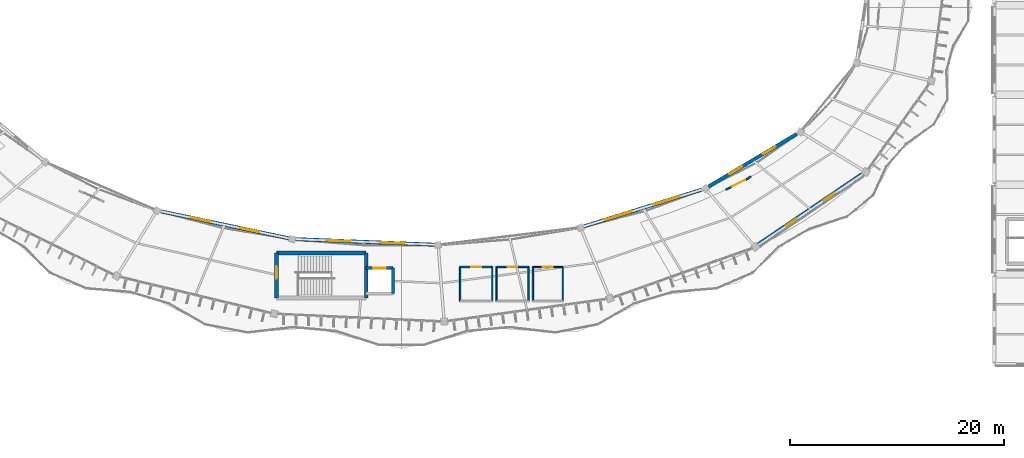
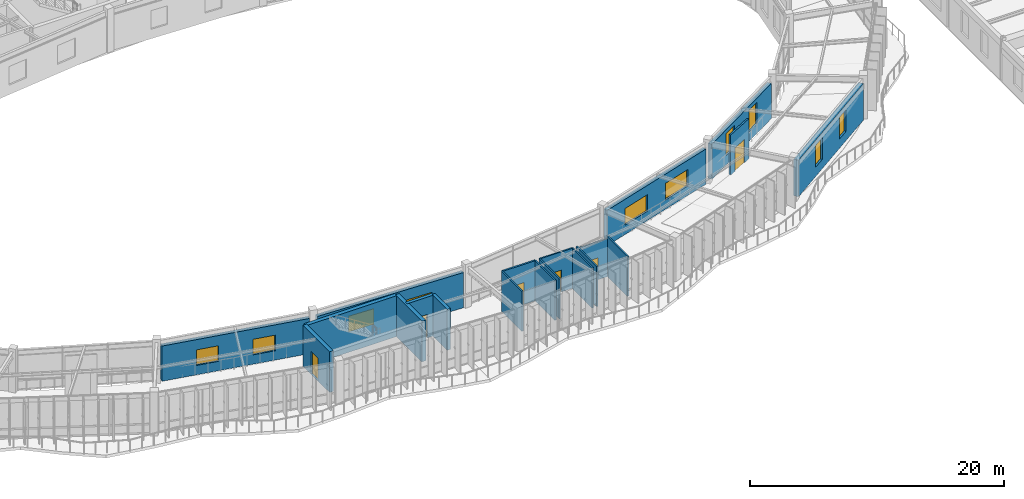
# One storey, part 93 of 114: 20 walls, 10 windows, 6 doors, 16 openings.
"""IFC4 building model written with IfcOpenShell, lengths in metres."""

from ifc_helpers import new_model, si_unit, direction, frame, frame_2d, origin, place, context, subcontext, project, spatial, rectangle, extrude, material, layer, layer_set, type_object, element, fill, save


model = new_model("IFC4")

# Units and contexts
model_context = context("Model", 3, precision=1e-05, world=origin(), true_north=direction((0.0, 1.0)))
body_context = subcontext(model_context, "Body", "Model", "MODEL_VIEW")
ifc_project = project(units=[si_unit("LENGTHUNIT", "METRE"), si_unit("AREAUNIT", "SQUARE_METRE"), si_unit("VOLUMEUNIT", "CUBIC_METRE"), si_unit("PLANEANGLEUNIT", "RADIAN"), si_unit("MASSUNIT", "GRAM", prefix="KILO"), si_unit("THERMODYNAMICTEMPERATUREUNIT", "KELVIN"), si_unit("POWERUNIT", "WATT")], contexts=[model_context])

# Site, building, storey
site_placement = place(None, origin())
site = spatial("IfcSite", under=ifc_project, at=site_placement, CompositionType="ELEMENT")
building_placement = place(site_placement, origin())
building = spatial("IfcBuilding", under=site, at=building_placement, Name="Darbajah Civic Hall", CompositionType="ELEMENT")
storey_placement = place(building_placement, frame((0.0, 0.0, 13.800048828125)))
storey = spatial("IfcBuildingStorey", under=building, at=storey_placement, Name="L03", CompositionType="ELEMENT", Elevation=13.800048828125)

# Wall, opening, door
ifc_material_1 = material(Name="Concrete C45/55", Category="concrete")
ifc_layer_1 = layer(ifc_material_1, 0.300048828125, Name="Concrete C45/55")
ifc_layer_set_1 = layer_set([ifc_layer_1], Name="Concrete C45/55")
wall_type_1 = type_object("IfcWallType", Name="Core Shear Wall 300mm", PredefinedType="SHEAR", material=ifc_layer_set_1)
wall_1_placement = place(storey_placement, frame((88.300048828125, 65.39990234375, 0.0), z_axis=(0.0, 0.0, 1.0), x_axis=(-1.0, 0.0, 0.0)))
wall_1 = element("IfcWall", 1, at=wall_1_placement, inside=storey, type_object=wall_type_1, Name="L03 lift PL1 shaft wall N", PredefinedType="SHEAR", context=body_context, shape_type="SweptSolid", body=[
    extrude(rectangle(XDim=2.5, YDim=0.300048828125, at=frame_2d((1.25, 0.0))), origin(), (0.0, 0.0, 1.0), 3.919921875),
])
opening_1_placement = place(wall_1_placement, frame((0.64990234375, 0.0, 0.0)))
opening_1 = element("IfcOpeningElement", 2, at=opening_1_placement, cuts=wall_1, Name="Opening LD-0053", PredefinedType="OPENING", context=body_context, shape_type="SweptSolid", body=[
    extrude(rectangle(XDim=1.199951171875, YDim=2.25, at=frame_2d((0.60009765625, 1.125))), frame((0.0, 0.159912109375, 0.0), z_axis=(0.0, -1.0, 0.0), x_axis=(1.0, 0.0, 0.0)), (0.0, 0.0, 1.0), 0.320068359375),
])
ifc_material_2 = material(Name="Stainless Lift Landing Door")
door_type_1 = type_object("IfcDoorType", Name="Lift Landing Door 1200x2250", OperationType="SLIDING_TO_LEFT", PredefinedType="DOOR", material=ifc_material_2)
door_1_placement = place(opening_1_placement, origin())
door_1 = element("IfcDoor", 3, at=door_1_placement, inside=storey, type_object=door_type_1, Name="L03 lift PL1 landing door LD-0053", OperationType="SLIDING_TO_LEFT", OverallHeight=2.25, OverallWidth=1.199951171875, PredefinedType="DOOR", context=body_context, shape_type="SweptSolid", body=[
    extrude(rectangle(XDim=1.199951171875, YDim=2.25, at=frame_2d((0.60009765625, 1.125))), frame((0.0, 0.02490234375, 0.0), z_axis=(0.0, -1.0, 0.0), x_axis=(1.0, 0.0, 0.0)), (0.0, 0.0, 1.0), 0.050048828125),
])
fill(opening_1, door_1)

# Walls
wall_2_placement = place(storey_placement, frame((88.300048828125, 63.0, 0.0), z_axis=(0.0, 0.0, 1.0), x_axis=(0.0, 1.0, 0.0)))
element("IfcWall", 4, at=wall_2_placement, inside=storey, type_object=wall_type_1, Name="L03 lift PL1 shaft wall E", PredefinedType="SHEAR", context=body_context, shape_type="SweptSolid", body=[
    extrude(rectangle(XDim=2.39990234375, YDim=0.300048828125, at=frame_2d((1.199951171875, 0.0))), origin(), (0.0, 0.0, 1.0), 3.919921875),
])
ifc_material_3 = material(Name="Concrete C50/60", Category="concrete")
ifc_layer_2 = layer(ifc_material_3, 0.35009765625, Name="Concrete C50/60")
ifc_layer_set_2 = layer_set([ifc_layer_2], Name="Concrete C50/60")
wall_type_2 = type_object("IfcWallType", Name="Core Shear Wall 350mm", PredefinedType="SHEAR", material=ifc_layer_set_2)
wall_3_placement = place(storey_placement, frame((85.800048828125, 62.60009765625, 0.0), z_axis=(0.0, 0.0, 1.0), x_axis=(0.0, 1.0, 0.0)))
element("IfcWall", 5, at=wall_3_placement, inside=storey, type_object=wall_type_2, Name="L03 core C03 shear wall E", PredefinedType="SHEAR", context=body_context, shape_type="SweptSolid", body=[
    extrude(rectangle(XDim=4.199951171875, YDim=0.35009765625, at=frame_2d((2.10009765625, 0.0))), origin(), (0.0, 0.0, 1.0), 3.919921875),
])
wall_4_placement = place(storey_placement, frame((85.800048828125, 66.800048828125, 0.0), z_axis=(0.0, 0.0, 1.0), x_axis=(-1.0, 0.0, 0.0)))
element("IfcWall", 6, at=wall_4_placement, inside=storey, type_object=wall_type_2, Name="L03 core C03 shear wall N", PredefinedType="SHEAR", context=body_context, shape_type="SweptSolid", body=[
    extrude(rectangle(XDim=8.400146484375, YDim=0.35009765625, at=frame_2d((4.2001953125, 0.0))), origin(), (0.0, 0.0, 1.0), 3.919921875),
])

# Wall, opening, door
wall_5_placement = place(storey_placement, frame((77.39990234375, 66.800048828125, 0.0), z_axis=(0.0, 0.0, 1.0), x_axis=(0.0, -1.0, 0.0)))
wall_5 = element("IfcWall", 7, at=wall_5_placement, inside=storey, type_object=wall_type_2, Name="L03 core C03 shear wall W", PredefinedType="SHEAR", context=body_context, shape_type="SweptSolid", body=[
    extrude(rectangle(XDim=4.199951171875, YDim=0.35009765625, at=frame_2d((2.10009765625, 0.0))), origin(), (0.0, 0.0, 1.0), 3.919921875),
])
opening_2_placement = place(wall_5_placement, frame((1.25, 0.0, 0.0)))
opening_2 = element("IfcOpeningElement", 8, at=opening_2_placement, cuts=wall_5, Name="Opening SD-0046", PredefinedType="OPENING", context=body_context, shape_type="SweptSolid", body=[
    extrude(rectangle(XDim=1.14990234375, YDim=2.199951171875, at=frame_2d((0.574951171875, 1.10009765625))), frame((0.0, 0.18505859375, 0.0), z_axis=(0.0, -1.0, 0.0), x_axis=(1.0, 0.0, 0.0)), (0.0, 0.0, 1.0), 0.3701171875),
])
ifc_material_4 = material(Name="Steel Rated Core Door", Category="steel")
door_type_2 = type_object("IfcDoorType", Name="Interior Door 1150x2200", OperationType="NOTDEFINED", PredefinedType="DOOR", material=ifc_material_4)
door_2_placement = place(opening_2_placement, origin())
door_2 = element("IfcDoor", 9, at=door_2_placement, inside=storey, type_object=door_type_2, Name="L03 stair ST03 fire door SD-0046", OperationType="SINGLE_SWING_LEFT", OverallHeight=2.199951171875, OverallWidth=1.14990234375, PredefinedType="DOOR", context=body_context, shape_type="SweptSolid", body=[
    extrude(rectangle(XDim=1.14990234375, YDim=2.199951171875, at=frame_2d((0.574951171875, 1.10009765625))), frame((0.0, 0.02490234375, 0.0), z_axis=(0.0, -1.0, 0.0), x_axis=(1.0, 0.0, 0.0)), (0.0, 0.0, 1.0), 0.050048828125),
])
fill(opening_2, door_2)

# Wall, openings, windows
ifc_material_5 = material(Name="Qatari Desert Limestone Ashlar", Category="masonry")
ifc_layer_3 = layer(ifc_material_5, 0.340087890625, Name="Qatari Desert Limestone Ashlar")
ifc_layer_set_3 = layer_set([ifc_layer_3], Name="Qatari Desert Limestone Ashlar")
wall_type_3 = type_object("IfcWallType", Name="Exterior Wall 340mm", PredefinedType="SOLIDWALL", material=ifc_layer_set_3)
wall_6_placement = place(storey_placement, frame((66.591552734375, 70.70654296875, 0.0), z_axis=(0.0, 0.0, 1.0), x_axis=(0.978479486831, -0.206344115136, 0.0)))
wall_6 = element("IfcWall", 10, at=wall_6_placement, inside=storey, type_object=wall_type_3, Name="L03 exterior wall EW-340", PredefinedType="SOLIDWALL", context=body_context, shape_type="SweptSolid", body=[
    extrude(rectangle(XDim=12.243408203125, YDim=0.340087890625, at=frame_2d((6.12158203125, 0.0))), origin(), (0.0, 0.0, 1.0), 3.386962890625),
])
opening_3_placement = place(wall_6_placement, frame((2.847900390625, 0.0, 0.89990234375)))
opening_3 = element("IfcOpeningElement", 11, at=opening_3_placement, cuts=wall_6, Name="Opening WN-26", PredefinedType="OPENING", context=body_context, shape_type="SweptSolid", body=[
    extrude(rectangle(XDim=1.85009765625, YDim=1.5, at=frame_2d((0.925048828125, 0.75))), frame((0.0, 0.179931640625, 0.0), z_axis=(0.0, -1.0, 0.0), x_axis=(1.0, 0.0, 0.0)), (0.0, 0.0, 1.0), 0.360107421875),
])
opening_4_placement = place(wall_6_placement, frame((7.545654296875, 0.0, 0.89990234375)))
opening_4 = element("IfcOpeningElement", 12, at=opening_4_placement, cuts=wall_6, Name="Opening WN-26", PredefinedType="OPENING", context=body_context, shape_type="SweptSolid", body=[
    extrude(rectangle(XDim=1.85009765625, YDim=1.5, at=frame_2d((0.925048828125, 0.75))), frame((0.0, 0.179931640625, 0.0), z_axis=(0.0, -1.0, 0.0), x_axis=(1.0, 0.0, 0.0)), (0.0, 0.0, 1.0), 0.360107421875),
])
ifc_material_6 = material(Name="Low-E Solar Control Double Glazing", Category="glass")
window_type_1 = type_object("IfcWindowType", Name="Facade Window 1850x1500", PartitioningType="DOUBLE_PANEL_VERTICAL", PredefinedType="WINDOW", material=ifc_material_6)
window_1_placement = place(opening_3_placement, origin())
window_1 = element("IfcWindow", 13, at=window_1_placement, inside=storey, type_object=window_type_1, Name="L03 facade window WN-26", OverallHeight=1.5, OverallWidth=1.85009765625, PartitioningType="SINGLE_PANEL", PredefinedType="WINDOW", context=body_context, shape_type="SweptSolid", body=[
    extrude(rectangle(XDim=1.85009765625, YDim=1.5, at=frame_2d((0.925048828125, 0.75))), frame((0.0, 0.030029296875, 0.0), z_axis=(0.0, -1.0, 0.0), x_axis=(1.0, 0.0, 0.0)), (0.0, 0.0, 1.0), 0.06005859375),
])
fill(opening_3, window_1)
window_2_placement = place(opening_4_placement, origin())
window_2 = element("IfcWindow", 14, at=window_2_placement, inside=storey, type_object=window_type_1, Name="L03 facade window WN-26", OverallHeight=1.5, OverallWidth=1.85009765625, PartitioningType="SINGLE_PANEL", PredefinedType="WINDOW", context=body_context, shape_type="SweptSolid", body=[
    extrude(rectangle(XDim=1.85009765625, YDim=1.5, at=frame_2d((0.925048828125, 0.75))), frame((0.0, 0.030029296875, 0.0), z_axis=(0.0, -1.0, 0.0), x_axis=(1.0, 0.0, 0.0)), (0.0, 0.0, 1.0), 0.06005859375),
])
fill(opening_4, window_2)

wall_7_placement = place(storey_placement, frame((79.2294921875, 68.10205078125, 0.0), z_axis=(0.0, 0.0, 1.0), x_axis=(0.999197440075, -0.040055907767, 0.0)))
wall_7 = element("IfcWall", 15, at=wall_7_placement, inside=storey, type_object=wall_type_3, Name="L03 exterior wall EW-340", PredefinedType="SOLIDWALL", context=body_context, shape_type="SweptSolid", body=[
    extrude(rectangle(XDim=12.982421875, YDim=0.340087890625, at=frame_2d((6.4912109375, 0.0))), origin(), (0.0, 0.0, 1.0), 3.386962890625),
])
opening_5_placement = place(wall_7_placement, frame((2.827392578125, 0.0, 0.89990234375)))
opening_5 = element("IfcOpeningElement", 16, at=opening_5_placement, cuts=wall_7, Name="Opening WN-27", PredefinedType="OPENING", context=body_context, shape_type="SweptSolid", body=[
    extrude(rectangle(XDim=2.25, YDim=1.5, at=frame_2d((1.125, 0.75))), frame((0.0, 0.179931640625, 0.0), z_axis=(0.0, -1.0, 0.0), x_axis=(1.0, 0.0, 0.0)), (0.0, 0.0, 1.0), 0.360107421875),
])
opening_6_placement = place(wall_7_placement, frame((7.90478515625, 0.0, 0.89990234375)))
opening_6 = element("IfcOpeningElement", 17, at=opening_6_placement, cuts=wall_7, Name="Opening WN-27", PredefinedType="OPENING", context=body_context, shape_type="SweptSolid", body=[
    extrude(rectangle(XDim=2.25, YDim=1.5, at=frame_2d((1.125, 0.75))), frame((0.0, 0.179931640625, 0.0), z_axis=(0.0, -1.0, 0.0), x_axis=(1.0, 0.0, 0.0)), (0.0, 0.0, 1.0), 0.360107421875),
])
window_type_2 = type_object("IfcWindowType", Name="Facade Window 2250x1500", PartitioningType="DOUBLE_PANEL_VERTICAL", PredefinedType="WINDOW", material=ifc_material_6)
window_3_placement = place(opening_5_placement, origin())
window_3 = element("IfcWindow", 18, at=window_3_placement, inside=storey, type_object=window_type_2, Name="L03 facade window WN-27", OverallHeight=1.5, OverallWidth=2.25, PartitioningType="SINGLE_PANEL", PredefinedType="WINDOW", context=body_context, shape_type="SweptSolid", body=[
    extrude(rectangle(XDim=2.25, YDim=1.5, at=frame_2d((1.125, 0.75))), frame((0.0, 0.030029296875, 0.0), z_axis=(0.0, -1.0, 0.0), x_axis=(1.0, 0.0, 0.0)), (0.0, 0.0, 1.0), 0.06005859375),
])
fill(opening_5, window_3)
window_4_placement = place(opening_6_placement, origin())
window_4 = element("IfcWindow", 19, at=window_4_placement, inside=storey, type_object=window_type_2, Name="L03 facade window WN-27", OverallHeight=1.5, OverallWidth=2.25, PartitioningType="SINGLE_PANEL", PredefinedType="WINDOW", context=body_context, shape_type="SweptSolid", body=[
    extrude(rectangle(XDim=2.25, YDim=1.5, at=frame_2d((1.125, 0.75))), frame((0.0, 0.030029296875, 0.0), z_axis=(0.0, -1.0, 0.0), x_axis=(1.0, 0.0, 0.0)), (0.0, 0.0, 1.0), 0.06005859375),
])
fill(opening_6, window_4)

wall_8_placement = place(storey_placement, frame((106.17431640625, 69.295166015625, 0.0), z_axis=(0.0, 0.0, 1.0), x_axis=(0.954617937233, 0.297833164561, 0.0)))
wall_8 = element("IfcWall", 20, at=wall_8_placement, inside=storey, type_object=wall_type_3, Name="L03 exterior wall EW-340", PredefinedType="SOLIDWALL", context=body_context, shape_type="SweptSolid", body=[
    extrude(rectangle(XDim=11.516357421875, YDim=0.340087890625, at=frame_2d((5.75830078125, 0.0))), origin(), (0.0, 0.0, 1.0), 3.386962890625),
])
opening_7_placement = place(wall_8_placement, frame((2.10546875, 0.0, 0.89990234375)))
opening_7 = element("IfcOpeningElement", 21, at=opening_7_placement, cuts=wall_8, Name="Opening WN-28", PredefinedType="OPENING", context=body_context, shape_type="SweptSolid", body=[
    extrude(rectangle(XDim=2.60009765625, YDim=1.60009765625, at=frame_2d((1.300048828125, 0.800048828125))), frame((0.0, 0.179931640625, 0.0), z_axis=(0.0, -1.0, 0.0), x_axis=(1.0, 0.0, 0.0)), (0.0, 0.0, 1.0), 0.360107421875),
])
opening_8_placement = place(wall_8_placement, frame((6.810791015625, 0.0, 0.89990234375)))
opening_8 = element("IfcOpeningElement", 22, at=opening_8_placement, cuts=wall_8, Name="Opening WN-28", PredefinedType="OPENING", context=body_context, shape_type="SweptSolid", body=[
    extrude(rectangle(XDim=2.60009765625, YDim=1.60009765625, at=frame_2d((1.300048828125, 0.800048828125))), frame((0.0, 0.179931640625, 0.0), z_axis=(0.0, -1.0, 0.0), x_axis=(1.0, 0.0, 0.0)), (0.0, 0.0, 1.0), 0.360107421875),
])
window_type_3 = type_object("IfcWindowType", Name="Facade Window 2600x1600", PartitioningType="DOUBLE_PANEL_VERTICAL", PredefinedType="WINDOW", material=ifc_material_6)
window_5_placement = place(opening_7_placement, origin())
window_5 = element("IfcWindow", 23, at=window_5_placement, inside=storey, type_object=window_type_3, Name="L03 facade window WN-28", OverallHeight=1.60009765625, OverallWidth=2.60009765625, PartitioningType="SINGLE_PANEL", PredefinedType="WINDOW", context=body_context, shape_type="SweptSolid", body=[
    extrude(rectangle(XDim=2.60009765625, YDim=1.60009765625, at=frame_2d((1.300048828125, 0.800048828125))), frame((0.0, 0.030029296875, 0.0), z_axis=(0.0, -1.0, 0.0), x_axis=(1.0, 0.0, 0.0)), (0.0, 0.0, 1.0), 0.06005859375),
])
fill(opening_7, window_5)
window_6_placement = place(opening_8_placement, origin())
window_6 = element("IfcWindow", 24, at=window_6_placement, inside=storey, type_object=window_type_3, Name="L03 facade window WN-28", OverallHeight=1.60009765625, OverallWidth=2.60009765625, PartitioningType="SINGLE_PANEL", PredefinedType="WINDOW", context=body_context, shape_type="SweptSolid", body=[
    extrude(rectangle(XDim=2.60009765625, YDim=1.60009765625, at=frame_2d((1.300048828125, 0.800048828125))), frame((0.0, 0.030029296875, 0.0), z_axis=(0.0, -1.0, 0.0), x_axis=(1.0, 0.0, 0.0)), (0.0, 0.0, 1.0), 0.06005859375),
])
fill(opening_8, window_6)

wall_9_placement = place(storey_placement, frame((117.844970703125, 73.021240234375, 0.0), z_axis=(0.0, 0.0, 1.0), x_axis=(0.858965031988, 0.512034250634, 0.0)))
wall_9 = element("IfcWall", 25, at=wall_9_placement, inside=storey, type_object=wall_type_3, Name="L03 exterior wall EW-340", PredefinedType="SOLIDWALL", context=body_context, shape_type="SweptSolid", body=[
    extrude(rectangle(XDim=9.605712890625, YDim=0.340087890625, at=frame_2d((4.802734375, 0.0))), origin(), (0.0, 0.0, 1.0), 3.386962890625),
])
opening_9_placement = place(wall_9_placement, frame((2.302001953125, 0.0, 0.89990234375)))
opening_9 = element("IfcOpeningElement", 26, at=opening_9_placement, cuts=wall_9, Name="Opening WN-02", PredefinedType="OPENING", context=body_context, shape_type="SweptSolid", body=[
    extrude(rectangle(XDim=1.35009765625, YDim=2.10009765625, at=frame_2d((0.675048828125, 1.050048828125))), frame((0.0, 0.179931640625, 0.0), z_axis=(0.0, -1.0, 0.0), x_axis=(1.0, 0.0, 0.0)), (0.0, 0.0, 1.0), 0.360107421875),
])
opening_10_placement = place(wall_9_placement, frame((5.953857421875, 0.0, 0.89990234375)))
opening_10 = element("IfcOpeningElement", 27, at=opening_10_placement, cuts=wall_9, Name="Opening WN-02", PredefinedType="OPENING", context=body_context, shape_type="SweptSolid", body=[
    extrude(rectangle(XDim=1.35009765625, YDim=2.10009765625, at=frame_2d((0.675048828125, 1.050048828125))), frame((0.0, 0.179931640625, 0.0), z_axis=(0.0, -1.0, 0.0), x_axis=(1.0, 0.0, 0.0)), (0.0, 0.0, 1.0), 0.360107421875),
])
window_type_4 = type_object("IfcWindowType", Name="Facade Window 1350x2100", PartitioningType="SINGLE_PANEL", PredefinedType="WINDOW", material=ifc_material_6)
window_7_placement = place(opening_9_placement, origin())
window_7 = element("IfcWindow", 28, at=window_7_placement, inside=storey, type_object=window_type_4, Name="L03 facade window WN-02", OverallHeight=2.10009765625, OverallWidth=1.35009765625, PartitioningType="SINGLE_PANEL", PredefinedType="WINDOW", context=body_context, shape_type="SweptSolid", body=[
    extrude(rectangle(XDim=1.35009765625, YDim=2.10009765625, at=frame_2d((0.675048828125, 1.050048828125))), frame((0.0, 0.030029296875, 0.0), z_axis=(0.0, -1.0, 0.0), x_axis=(1.0, 0.0, 0.0)), (0.0, 0.0, 1.0), 0.06005859375),
])
fill(opening_9, window_7)
window_8_placement = place(opening_10_placement, origin())
window_8 = element("IfcWindow", 29, at=window_8_placement, inside=storey, type_object=window_type_4, Name="L03 facade window WN-02", OverallHeight=2.10009765625, OverallWidth=1.35009765625, PartitioningType="SINGLE_PANEL", PredefinedType="WINDOW", context=body_context, shape_type="SweptSolid", body=[
    extrude(rectangle(XDim=1.35009765625, YDim=2.10009765625, at=frame_2d((0.675048828125, 1.050048828125))), frame((0.0, 0.030029296875, 0.0), z_axis=(0.0, -1.0, 0.0), x_axis=(1.0, 0.0, 0.0)), (0.0, 0.0, 1.0), 0.06005859375),
])
fill(opening_10, window_8)

ifc_layer_4 = layer(ifc_material_5, 0.419921875, Name="Qatari Desert Limestone Ashlar")
ifc_layer_set_4 = layer_set([ifc_layer_4], Name="Qatari Desert Limestone Ashlar")
wall_type_4 = type_object("IfcWallType", Name="Exterior Wall 420mm", PredefinedType="SOLIDWALL", material=ifc_layer_set_4)
wall_10_placement = place(storey_placement, frame((122.52099609375, 67.570556640625, 0.0), z_axis=(0.0, 0.0, 1.0), x_axis=(0.827984508774, 0.560750972563, 0.0)))
wall_10 = element("IfcWall", 30, at=wall_10_placement, inside=storey, type_object=wall_type_4, Name="L03 exterior wall EW-420", PredefinedType="SOLIDWALL", context=body_context, shape_type="SweptSolid", body=[
    extrude(rectangle(XDim=11.72216796875, YDim=0.419921875, at=frame_2d((5.861083984375, 0.0))), origin(), (0.0, 0.0, 1.0), 3.52001953125),
])
opening_11_placement = place(wall_10_placement, frame((3.107421875, 0.0, 0.89990234375)))
opening_11 = element("IfcOpeningElement", 31, at=opening_11_placement, cuts=wall_10, Name="Opening WN-01", PredefinedType="OPENING", context=body_context, shape_type="SweptSolid", body=[
    extrude(rectangle(XDim=1.199951171875, YDim=2.10009765625, at=frame_2d((0.60009765625, 1.050048828125))), frame((0.0, 0.219970703125, 0.0), z_axis=(0.0, -1.0, 0.0), x_axis=(1.0, 0.0, 0.0)), (0.0, 0.0, 1.0), 0.43994140625),
])
opening_12_placement = place(wall_10_placement, frame((7.414794921875, 0.0, 0.89990234375)))
opening_12 = element("IfcOpeningElement", 32, at=opening_12_placement, cuts=wall_10, Name="Opening WN-01", PredefinedType="OPENING", context=body_context, shape_type="SweptSolid", body=[
    extrude(rectangle(XDim=1.199951171875, YDim=2.10009765625, at=frame_2d((0.60009765625, 1.050048828125))), frame((0.0, 0.219970703125, 0.0), z_axis=(0.0, -1.0, 0.0), x_axis=(1.0, 0.0, 0.0)), (0.0, 0.0, 1.0), 0.43994140625),
])
window_type_5 = type_object("IfcWindowType", Name="Facade Window 1200x2100", PartitioningType="SINGLE_PANEL", PredefinedType="WINDOW", material=ifc_material_6)
window_9_placement = place(opening_11_placement, origin())
window_9 = element("IfcWindow", 33, at=window_9_placement, inside=storey, type_object=window_type_5, Name="L03 facade window WN-01", OverallHeight=2.10009765625, OverallWidth=1.199951171875, PartitioningType="SINGLE_PANEL", PredefinedType="WINDOW", context=body_context, shape_type="SweptSolid", body=[
    extrude(rectangle(XDim=1.199951171875, YDim=2.10009765625, at=frame_2d((0.60009765625, 1.050048828125))), frame((0.0, 0.030029296875, 0.0), z_axis=(0.0, -1.0, 0.0), x_axis=(1.0, 0.0, 0.0)), (0.0, 0.0, 1.0), 0.06005859375),
])
fill(opening_11, window_9)
window_10_placement = place(opening_12_placement, origin())
window_10 = element("IfcWindow", 34, at=window_10_placement, inside=storey, type_object=window_type_5, Name="L03 facade window WN-01", OverallHeight=2.10009765625, OverallWidth=1.199951171875, PartitioningType="SINGLE_PANEL", PredefinedType="WINDOW", context=body_context, shape_type="SweptSolid", body=[
    extrude(rectangle(XDim=1.199951171875, YDim=2.10009765625, at=frame_2d((0.60009765625, 1.050048828125))), frame((0.0, 0.030029296875, 0.0), z_axis=(0.0, -1.0, 0.0), x_axis=(1.0, 0.0, 0.0)), (0.0, 0.0, 1.0), 0.06005859375),
])
fill(opening_12, window_10)

# Wall, opening, door
ifc_material_7 = material(Name="Acoustic Gypsum Partition")
ifc_layer_5 = layer(ifc_material_7, 0.114990234375, Name="Acoustic Gypsum Partition")
ifc_layer_set_5 = layer_set([ifc_layer_5], Name="Acoustic Gypsum Partition")
wall_type_5 = type_object("IfcWallType", Name="Interior Partition 115mm", PredefinedType="PARTITIONING", material=ifc_layer_set_5)
wall_11_placement = place(storey_placement, frame((101.39990234375, 65.5, 0.0), z_axis=(0.0, 0.0, 1.0), x_axis=(1.0, 0.0, 0.0)))
wall_11 = element("IfcWall", 35, at=wall_11_placement, inside=storey, type_object=wall_type_5, Name="L03 interior partition L03-WCA", PredefinedType="PARTITIONING", context=body_context, shape_type="SweptSolid", body=[
    extrude(rectangle(XDim=2.800048828125, YDim=0.114990234375, at=frame_2d((1.39990234375, 0.0))), origin(), (0.0, 0.0, 1.0), 3.6640625),
])
opening_13_placement = place(wall_11_placement, frame((0.925048828125, 0.0, 0.0)))
opening_13 = element("IfcOpeningElement", 36, at=opening_13_placement, cuts=wall_11, Name="Opening D-0229", PredefinedType="OPENING", context=body_context, shape_type="SweptSolid", body=[
    extrude(rectangle(XDim=0.949951171875, YDim=2.10009765625, at=frame_2d((0.47509765625, 1.050048828125))), frame((0.0, 0.0673828125, 0.0), z_axis=(0.0, -1.0, 0.0), x_axis=(1.0, 0.0, 0.0)), (0.0, 0.0, 1.0), 0.135009765625),
])
ifc_material_8 = material(Name="Accessible WC Door")
door_type_3 = type_object("IfcDoorType", Name="Interior Door 950x2100", OperationType="NOTDEFINED", PredefinedType="DOOR", material=ifc_material_8)
door_3_placement = place(opening_13_placement, origin())
door_3 = element("IfcDoor", 37, at=door_3_placement, inside=storey, type_object=door_type_3, Name="L03 L03-WCA door D-0229", OperationType="SINGLE_SWING_RIGHT", OverallHeight=2.10009765625, OverallWidth=0.949951171875, PredefinedType="DOOR", context=body_context, shape_type="SweptSolid", body=[
    extrude(rectangle(XDim=0.949951171875, YDim=2.10009765625, at=frame_2d((0.47509765625, 1.050048828125))), frame((0.0, 0.02490234375, 0.0), z_axis=(0.0, -1.0, 0.0), x_axis=(1.0, 0.0, 0.0)), (0.0, 0.0, 1.0), 0.050048828125),
])
fill(opening_13, door_3)

# Walls
ifc_material_9 = material(Name="Gypsum Plasterboard on Steel Stud", Category="steel")
ifc_layer_6 = layer(ifc_material_9, 0.135009765625, Name="Gypsum Plasterboard on Steel Stud")
ifc_layer_set_6 = layer_set([ifc_layer_6], Name="Gypsum Plasterboard on Steel Stud")
wall_type_6 = type_object("IfcWallType", Name="Interior Partition 135mm", PredefinedType="PARTITIONING", material=ifc_layer_set_6)
for number, where, z_axis, x_axis, name in (
    (38, (97.60009765625, 62.300048828125, 0.0), (0.0, 0.0, 1.0), (0.0, 1.0, 0.0), "L03 restroom enclosure wall L03-WCM E"),
    (39, (94.60009765625, 62.300048828125, 0.0), (0.0, 0.0, 1.0), (0.0, 1.0, 0.0), "L03 restroom enclosure wall L03-WCM W"),
    (40, (101.0, 62.300048828125, 0.0), (0.0, 0.0, 1.0), (0.0, 1.0, 0.0), "L03 restroom enclosure wall L03-WCF E"),
    (41, (98.0, 62.300048828125, 0.0), (0.0, 0.0, 1.0), (0.0, 1.0, 0.0), "L03 restroom enclosure wall L03-WCF W"),
):
    element("IfcWall", number, at=place(storey_placement, frame(where, z_axis=z_axis, x_axis=x_axis)), inside=storey, type_object=wall_type_6, Name=name, PredefinedType="PARTITIONING", context=body_context, shape_type="SweptSolid", body=[
        extrude(rectangle(XDim=3.199951171875, YDim=0.135009765625, at=frame_2d((1.60009765625, 0.0))), origin(), (0.0, 0.0, 1.0), 3.85986328125),
    ])

# Wall, opening, door
wall_12_placement = place(storey_placement, frame((98.0, 65.5, 0.0), z_axis=(0.0, 0.0, 1.0), x_axis=(1.0, 0.0, 0.0)))
wall_12 = element("IfcWall", 42, at=wall_12_placement, inside=storey, type_object=wall_type_6, Name="L03 interior partition L03-WCF", PredefinedType="PARTITIONING", context=body_context, shape_type="SweptSolid", body=[
    extrude(rectangle(XDim=3.0, YDim=0.135009765625, at=frame_2d((1.5, 0.0))), origin(), (0.0, 0.0, 1.0), 3.85986328125),
])
opening_14_placement = place(wall_12_placement, frame((1.050048828125, 0.0, 0.0)))
opening_14 = element("IfcOpeningElement", 43, at=opening_14_placement, cuts=wall_12, Name="Opening D-0228", PredefinedType="OPENING", context=body_context, shape_type="SweptSolid", body=[
    extrude(rectangle(XDim=0.89990234375, YDim=2.10009765625, at=frame_2d((0.449951171875, 1.050048828125))), frame((0.0, 0.077392578125, 0.0), z_axis=(0.0, -1.0, 0.0), x_axis=(1.0, 0.0, 0.0)), (0.0, 0.0, 1.0), 0.155029296875),
])
ifc_material_10 = material(Name="Oak Washroom Door")
door_type_4 = type_object("IfcDoorType", Name="Interior Door 900x2100", OperationType="NOTDEFINED", PredefinedType="DOOR", material=ifc_material_10)
door_4_placement = place(opening_14_placement, origin())
door_4 = element("IfcDoor", 44, at=door_4_placement, inside=storey, type_object=door_type_4, Name="L03 L03-WCF door D-0228", OperationType="SINGLE_SWING_LEFT", OverallHeight=2.10009765625, OverallWidth=0.89990234375, PredefinedType="DOOR", context=body_context, shape_type="SweptSolid", body=[
    extrude(rectangle(XDim=0.89990234375, YDim=2.10009765625, at=frame_2d((0.449951171875, 1.050048828125))), frame((0.0, 0.02490234375, 0.0), z_axis=(0.0, -1.0, 0.0), x_axis=(1.0, 0.0, 0.0)), (0.0, 0.0, 1.0), 0.050048828125),
])
fill(opening_14, door_4)

# Walls
for number, where, z_axis, x_axis, name in (
    (45, (104.199951171875, 62.300048828125, 0.0), (0.0, 0.0, 1.0), (0.0, 1.0, 0.0), "L03 restroom enclosure wall L03-WCA E"),
    (46, (101.39990234375, 62.300048828125, 0.0), (0.0, 0.0, 1.0), (0.0, 1.0, 0.0), "L03 restroom enclosure wall L03-WCA W"),
):
    element("IfcWall", number, at=place(storey_placement, frame(where, z_axis=z_axis, x_axis=x_axis)), inside=storey, type_object=wall_type_6, Name=name, PredefinedType="PARTITIONING", context=body_context, shape_type="SweptSolid", body=[
        extrude(rectangle(XDim=3.199951171875, YDim=0.135009765625, at=frame_2d((1.60009765625, 0.0))), origin(), (0.0, 0.0, 1.0), 3.85986328125),
    ])

# Wall, opening, door
ifc_layer_7 = layer(ifc_material_9, 0.159912109375, Name="Gypsum Plasterboard on Steel Stud")
ifc_layer_set_7 = layer_set([ifc_layer_7], Name="Gypsum Plasterboard on Steel Stud")
wall_type_7 = type_object("IfcWallType", Name="Interior Partition 160mm", PredefinedType="PARTITIONING", material=ifc_layer_set_7)
wall_13_placement = place(storey_placement, frame((121.828125, 73.943603515625, 0.0), z_axis=(0.0, 0.0, 1.0), x_axis=(-0.888202073474, -0.45945301901, 0.0)))
wall_13 = element("IfcWall", 47, at=wall_13_placement, inside=storey, type_object=wall_type_7, Name="L03 interior partition L03-V1-01", PredefinedType="PARTITIONING", context=body_context, shape_type="SweptSolid", body=[
    extrude(rectangle(XDim=2.64794921875, YDim=0.159912109375, at=frame_2d((1.323974609375, 0.0))), origin(), (0.0, 0.0, 1.0), 3.85986328125),
])
opening_15_placement = place(wall_13_placement, frame((0.623779296875, 0.0, 0.0)))
opening_15 = element("IfcOpeningElement", 48, at=opening_15_placement, cuts=wall_13, Name="Opening D-0221", PredefinedType="OPENING", context=body_context, shape_type="SweptSolid", body=[
    extrude(rectangle(XDim=1.39990234375, YDim=2.25, at=frame_2d((0.699951171875, 1.125))), frame((0.0, 0.08984375, 0.0), z_axis=(0.0, -1.0, 0.0), x_axis=(1.0, 0.0, 0.0)), (0.0, 0.0, 1.0), 0.179931640625),
])
ifc_material_11 = material(Name="Painted Hardwood Fire Door", Category="wood")
door_type_5 = type_object("IfcDoorType", Name="Interior Door 1400x2250", OperationType="NOTDEFINED", PredefinedType="DOOR", material=ifc_material_11)
door_5_placement = place(opening_15_placement, origin())
door_5 = element("IfcDoor", 49, at=door_5_placement, inside=storey, type_object=door_type_5, Name="L03 L03-V1-01 door D-0221", OperationType="SINGLE_SWING_RIGHT", OverallHeight=2.25, OverallWidth=1.39990234375, PredefinedType="DOOR", context=body_context, shape_type="SweptSolid", body=[
    extrude(rectangle(XDim=1.39990234375, YDim=2.25, at=frame_2d((0.699951171875, 1.125))), frame((0.0, 0.02490234375, 0.0), z_axis=(0.0, -1.0, 0.0), x_axis=(1.0, 0.0, 0.0)), (0.0, 0.0, 1.0), 0.050048828125),
])
fill(opening_15, door_5)

wall_14_placement = place(storey_placement, frame((94.60009765625, 65.5, 0.0), z_axis=(0.0, 0.0, 1.0), x_axis=(1.0, 0.0, 0.0)))
wall_14 = element("IfcWall", 50, at=wall_14_placement, inside=storey, type_object=wall_type_7, Name="L03 interior partition L03-WCM", PredefinedType="PARTITIONING", context=body_context, shape_type="SweptSolid", body=[
    extrude(rectangle(XDim=3.0, YDim=0.159912109375, at=frame_2d((1.5, 0.0))), origin(), (0.0, 0.0, 1.0), 3.85986328125),
])
opening_16_placement = place(wall_14_placement, frame((1.050048828125, 0.0, 0.0)))
opening_16 = element("IfcOpeningElement", 51, at=opening_16_placement, cuts=wall_14, Name="Opening D-0227", PredefinedType="OPENING", context=body_context, shape_type="SweptSolid", body=[
    extrude(rectangle(XDim=0.89990234375, YDim=2.10009765625, at=frame_2d((0.449951171875, 1.050048828125))), frame((0.0, 0.08984375, 0.0), z_axis=(0.0, -1.0, 0.0), x_axis=(1.0, 0.0, 0.0)), (0.0, 0.0, 1.0), 0.179931640625),
])
door_6_placement = place(opening_16_placement, origin())
door_6 = element("IfcDoor", 52, at=door_6_placement, inside=storey, type_object=door_type_4, Name="L03 L03-WCM door D-0227", OperationType="SINGLE_SWING_RIGHT", OverallHeight=2.10009765625, OverallWidth=0.89990234375, PredefinedType="DOOR", context=body_context, shape_type="SweptSolid", body=[
    extrude(rectangle(XDim=0.89990234375, YDim=2.10009765625, at=frame_2d((0.449951171875, 1.050048828125))), frame((0.0, 0.02490234375, 0.0), z_axis=(0.0, -1.0, 0.0), x_axis=(1.0, 0.0, 0.0)), (0.0, 0.0, 1.0), 0.050048828125),
])
fill(opening_16, door_6)

save(model, "model.ifc")
